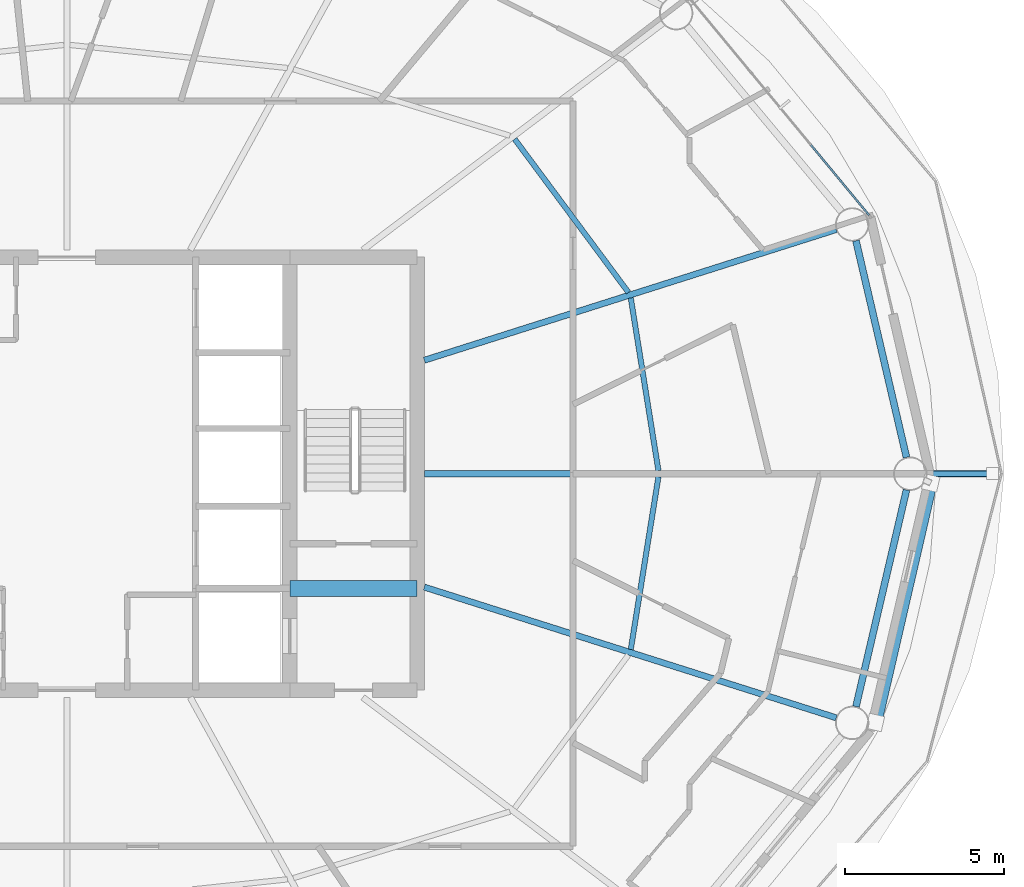
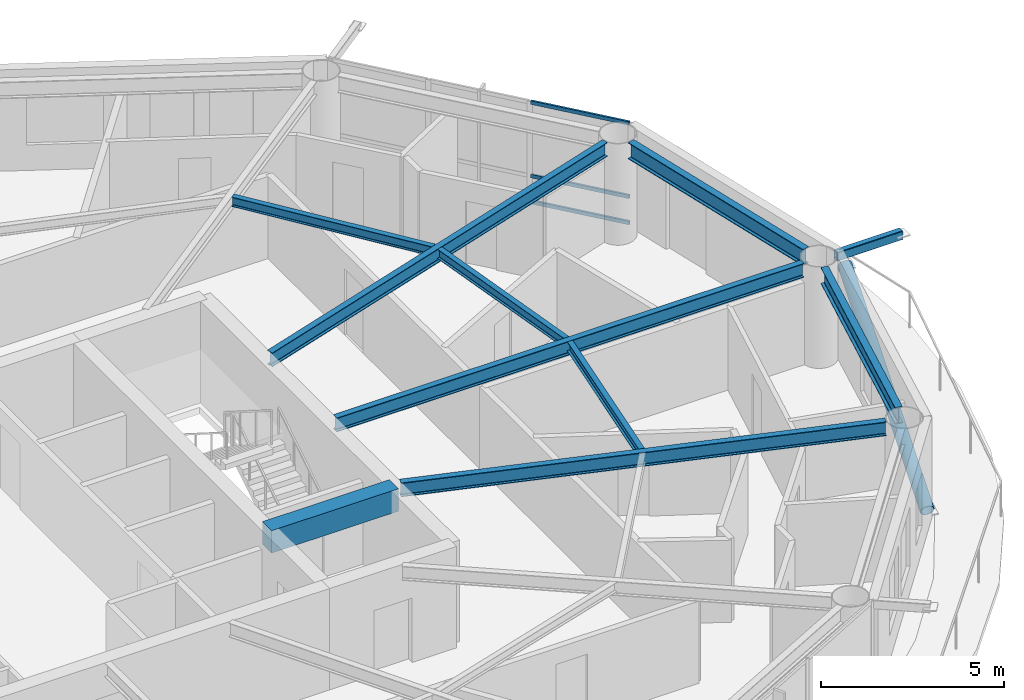
# One storey, part 8 of 29: 9 beams, 5 members, 1 element without a shape of its own.
"""IFC4 building model written with IfcOpenShell, lengths in metres."""

from ifc_helpers import new_model, si_unit, direction, frame, origin, origin_2d, place, context, subcontext, project, spatial, rectangle, hollow_rectangle, hollow_circle, i_section, extrude, material, layer, layer_set, material_profile, profile_set, type_object, element, aggregate, save


model = new_model("IFC4")

# Units and contexts
model_context = context("Model", 3, precision=1e-05, world=origin(), true_north=direction((0.0, 1.0)))
body_context = subcontext(model_context, "Body", "Model", "MODEL_VIEW")
ifc_project = project(units=[si_unit("LENGTHUNIT", "METRE"), si_unit("AREAUNIT", "SQUARE_METRE"), si_unit("VOLUMEUNIT", "CUBIC_METRE"), si_unit("PLANEANGLEUNIT", "RADIAN"), si_unit("MASSUNIT", "GRAM", prefix="KILO")], contexts=[model_context])

# Site, building, storey
site_placement = place(None, origin())
site = spatial("IfcSite", under=ifc_project, at=site_placement, CompositionType="ELEMENT")
building_placement = place(site_placement, origin())
building = spatial("IfcBuilding", under=site, at=building_placement, Name="Sarneth Arch Tower", CompositionType="ELEMENT")
storey_placement = place(building_placement, frame((0.0, 0.0, 175.800048828125)))
storey = spatial("IfcBuildingStorey", under=building, at=storey_placement, Name="L44", CompositionType="ELEMENT", Elevation=175.800048828125)

# Beams
ifc_material_1 = material(Name="Steel S355", Category="steel")
ifc_material_profile_1 = material_profile(ifc_material_1, i_section(OverallWidth=0.1669921875, OverallDepth=0.31689453125, WebThickness=0.007568359375, FlangeThickness=0.01318359375, FilletRadius=0.012939453125, at=origin_2d()), Name="W310x52")
ifc_profile_set_1 = profile_set([ifc_material_profile_1], Name="Steel S355")
beam_type_1 = type_object("IfcBeamType", Name="BM-JOIST-310B", PredefinedType="JOIST", material=ifc_profile_set_1)
beam_1_placement = place(storey_placement, frame((66.578125, 42.09521484375, 3.221435546875), z_axis=(-0.158262632389, 0.987397052451, 0.0), x_axis=(-0.987397052451, -0.158262632389, 0.0)))
element("IfcBeam", 1, at=beam_1_placement, inside=storey, type_object=beam_type_1, Name="L44 Secondary floor joist 01", PredefinedType="JOIST", context=body_context, shape_type="SweptSolid", body=[
    extrude(i_section(OverallWidth=0.1669921875, OverallDepth=0.31689453125, WebThickness=0.007568359375, FlangeThickness=0.01318359375, FilletRadius=0.012939453125, at=origin_2d()), origin(), (0.0, 0.0, 1.0), 5.493408203125),
])
beam_2_placement = place(storey_placement, frame((65.6357421875, 47.692138671875, 3.221435546875), z_axis=(-0.595933334016, 0.803033910497, 0.0), x_axis=(-0.803033910497, -0.595933334016, 0.0)))
element("IfcBeam", 2, at=beam_2_placement, inside=storey, type_object=beam_type_1, Name="L44 Secondary floor joist 02", PredefinedType="JOIST", context=body_context, shape_type="SweptSolid", body=[
    extrude(i_section(OverallWidth=0.1669921875, OverallDepth=0.31689453125, WebThickness=0.007568359375, FlangeThickness=0.01318359375, FilletRadius=0.012939453125, at=origin_2d()), origin(), (0.0, 0.0, 1.0), 5.99560546875),
])
beam_3_placement = place(storey_placement, frame((65.708740234375, 36.480712890625, 3.221435546875), z_axis=(0.158262632389, 0.987397052451, 0.0), x_axis=(-0.987397052451, 0.158262632389, 0.0)))
element("IfcBeam", 3, at=beam_3_placement, inside=storey, type_object=beam_type_1, Name="L44 Secondary floor joist 16", PredefinedType="JOIST", context=body_context, shape_type="SweptSolid", body=[
    extrude(i_section(OverallWidth=0.1669921875, OverallDepth=0.31689453125, WebThickness=0.007568359375, FlangeThickness=0.01318359375, FilletRadius=0.012939453125, at=origin_2d()), origin(), (0.0, 0.0, 1.0), 5.493408203125),
])
ifc_material_2 = material(Name="Concrete C50/60", Category="concrete")
ifc_material_profile_2 = material_profile(ifc_material_2, rectangle(XDim=0.5, YDim=0.75, at=origin_2d()), Name="RC-500x750")
ifc_profile_set_2 = profile_set([ifc_material_profile_2], Name="Concrete C50/60")
beam_type_2 = type_object("IfcBeamType", Name="BM-LINTEL-RC", PredefinedType="LINTEL", material=ifc_profile_set_2)
beam_4_placement = place(storey_placement, frame((55.0, 38.39990234375, 3.0048828125), z_axis=(1.0, 0.0, 0.0), x_axis=(0.0, 1.0, 0.0)))
element("IfcBeam", 4, at=beam_4_placement, inside=storey, type_object=beam_type_2, Name="L44 Core coupling lintel E", PredefinedType="LINTEL", context=body_context, shape_type="SweptSolid", body=[
    extrude(rectangle(XDim=0.5, YDim=0.75, at=origin_2d()), origin(), (0.0, 0.0, 1.0), 4.0),
])
ifc_material_3 = material(Name="Steel S355", Category="steel")
ifc_material_profile_3 = material_profile(ifc_material_3, i_section(OverallWidth=0.193115234375, OverallDepth=0.466064453125, WebThickness=0.011474609375, FlangeThickness=0.01904296875, FilletRadius=0.01806640625, at=origin_2d()), Name="W460x97")
ifc_profile_set_3 = profile_set([ifc_material_profile_3], Name="Steel S355")
beam_type_3 = type_object("IfcBeamType", Name="BM-RAD-460C", PredefinedType="BEAM", material=ifc_profile_set_3)
beam_5_placement = place(storey_placement, frame((59.22509765625, 42.0, 3.14697265625), z_axis=(1.0, 0.0, 0.0), x_axis=(0.0, 1.0, 0.0)))
element("IfcBeam", 5, at=beam_5_placement, inside=storey, type_object=beam_type_3, Name="L44 Radial floor girder 01", PredefinedType="BEAM", context=body_context, shape_type="SweptSolid", body=[
    extrude(i_section(OverallWidth=0.193115234375, OverallDepth=0.466064453125, WebThickness=0.011474609375, FlangeThickness=0.01904296875, FilletRadius=0.01806640625, at=origin_2d()), origin(), (0.0, 0.0, 1.0), 14.73681640625),
])
for number, where, z_axis, x_axis, name in (
    (6, (59.22509765625, 45.56201171875, 3.14697265625), (0.953163620049, 0.302455142815, 0.0), (-0.302455142815, 0.953163620049, 0.0), "L44 Radial floor girder 02"),
    (7, (59.22509765625, 38.43798828125, 3.14697265625), (0.953163620049, -0.302455142815, 0.0), (0.302455142815, 0.953163620049, 0.0), "L44 Radial floor girder 16"),
):
    element("IfcBeam", number, at=place(storey_placement, frame(where, z_axis=z_axis, x_axis=x_axis)), inside=storey, type_object=beam_type_3, Name=name, PredefinedType="BEAM", context=body_context, shape_type="SweptSolid", body=[
        extrude(i_section(OverallWidth=0.193115234375, OverallDepth=0.466064453125, WebThickness=0.011474609375, FlangeThickness=0.01904296875, FilletRadius=0.01806640625, at=origin_2d()), origin(), (0.0, 0.0, 1.0), 13.572265625),
    ])
ifc_material_4 = material(Name="Steel S355", Category="steel")
ifc_material_profile_4 = material_profile(ifc_material_4, i_section(OverallWidth=0.214111328125, OverallDepth=0.549072265625, WebThickness=0.0146484375, FlangeThickness=0.023681640625, FilletRadius=0.01806640625, at=origin_2d()), Name="W530x138")
ifc_profile_set_4 = profile_set([ifc_material_profile_4], Name="Steel S355")
beam_type_4 = type_object("IfcBeamType", Name="BM-RAD-530A", PredefinedType="BEAM", material=ifc_profile_set_4)
for number, where, z_axis, x_axis, name in (
    (8, (74.36767578125, 42.51123046875, 3.10546875), (-0.22708709918, 0.973874452579, 0.0), (-0.973874452579, -0.22708709918, 0.0), "L44 Perimeter spandrel beam 01"),
    (9, (72.78125, 34.685302734375, 3.10546875), (0.22708709918, 0.973874452579, 0.0), (-0.973874452579, 0.22708709918, 0.0), "L44 Perimeter spandrel beam 16"),
):
    element("IfcBeam", number, at=place(storey_placement, frame(where, z_axis=z_axis, x_axis=x_axis)), inside=storey, type_object=beam_type_4, Name=name, PredefinedType="BEAM", context=body_context, shape_type="SweptSolid", body=[
        extrude(i_section(OverallWidth=0.214111328125, OverallDepth=0.549072265625, WebThickness=0.0146484375, FlangeThickness=0.023681640625, FilletRadius=0.01806640625, at=origin_2d()), origin(), (0.0, 0.0, 1.0), 6.986083984375),
    ])

# Curtain wall, members
ifc_material_5 = material(Name="Anodised aluminium Type AA25 and solar-control low-e laminated IGU", Category="aluminium")
ifc_layer = layer(ifc_material_5, 0.169921875)
ifc_layer_set = layer_set([ifc_layer], Name="Anodised aluminium Type AA25 and solar-control low-e laminated IGU")
curtain_wall_type = type_object("IfcCurtainWallType", Name="CW-RES-MID", PredefinedType="NOTDEFINED", material=ifc_layer_set)
curtain_wall_placement = place(storey_placement, origin())
curtain_wall = element("IfcCurtainWall", 10, at=curtain_wall_placement, inside=storey, type_object=curtain_wall_type, Name="L44 Unitised curtain wall facet 02", PredefinedType="NOTDEFINED")
ifc_material_6 = material(Name="Anodised Aluminium 6063-T6", Category="aluminium")
ifc_material_profile_5 = material_profile(ifc_material_6, hollow_rectangle(XDim=0.06005859375, YDim=0.1201171875, WallThickness=0.00390625, at=origin_2d()), Name="AL-TRAN-120x60x4")
ifc_profile_set_5 = profile_set([ifc_material_profile_5], Name="Anodised Aluminium 6063-T6")
member_type_1 = type_object("IfcMemberType", Name="CW-TRANSOM", PredefinedType="USERDEFINED", material=ifc_profile_set_5)
member_1_placement = place(storey_placement, frame((73.194091796875, 50.11328125, 0.030029296875), z_axis=(-0.637358651504, 0.770567290607, 0.0), x_axis=(-0.770567290607, -0.637358651504, 0.0)))
member_1 = element("IfcMember", 11, at=member_1_placement, type_object=member_type_1, Name="CW-SYS-5 transom 1.1", ObjectType="TRANSOM", PredefinedType="USERDEFINED", context=body_context, shape_type="SweptSolid", body=[
    extrude(hollow_rectangle(XDim=0.06005859375, YDim=0.1201171875, WallThickness=0.00390625, at=origin_2d()), origin(), (0.0, 0.0, 1.0), 2.8681640625),
])
member_2_placement = place(storey_placement, frame((73.194091796875, 50.11328125, 0.89990234375), z_axis=(-0.637358651504, 0.770567290607, 0.0), x_axis=(-0.770567290607, -0.637358651504, 0.0)))
member_2 = element("IfcMember", 12, at=member_2_placement, type_object=member_type_1, Name="CW-SYS-5 transom 1.2", ObjectType="TRANSOM", PredefinedType="USERDEFINED", context=body_context, shape_type="SweptSolid", body=[
    extrude(hollow_rectangle(XDim=0.06005859375, YDim=0.1201171875, WallThickness=0.00390625, at=origin_2d()), origin(), (0.0, 0.0, 1.0), 2.8681640625),
])
member_3_placement = place(storey_placement, frame((73.194091796875, 50.11328125, 3.349853515625), z_axis=(-0.637358651504, 0.770567290607, 0.0), x_axis=(-0.770567290607, -0.637358651504, 0.0)))
member_3 = element("IfcMember", 13, at=member_3_placement, type_object=member_type_1, Name="CW-SYS-5 transom 1.3", ObjectType="TRANSOM", PredefinedType="USERDEFINED", context=body_context, shape_type="SweptSolid", body=[
    extrude(hollow_rectangle(XDim=0.06005859375, YDim=0.1201171875, WallThickness=0.00390625, at=origin_2d()), origin(), (0.0, 0.0, 1.0), 2.8681640625),
])
aggregate(curtain_wall, [member_1, member_2, member_3])

# Members
ifc_material_7 = material(Name="Steel S355", Category="steel")
ifc_material_profile_6 = material_profile(ifc_material_7, hollow_rectangle(XDim=0.199951171875, YDim=0.300048828125, WallThickness=0.012451171875, InnerFilletRadius=0.018798828125, OuterFilletRadius=0.03125, at=origin_2d()), Name="RHS300x200x12.5")
ifc_profile_set_6 = profile_set([ifc_material_profile_6], Name="Steel S355")
member_type_2 = type_object("IfcMemberType", Name="MEM-CANT-STRUT", PredefinedType="STRUT", material=ifc_profile_set_6)
member_4_placement = place(storey_placement, frame((75.011962890625, 42.0, 3.219970703125), z_axis=(1.0, 0.0, 0.0), x_axis=(0.0, 1.0, 0.0)))
element("IfcMember", 14, at=member_4_placement, inside=storey, type_object=member_type_2, Name="L44 Balcony cantilever bracket 01", PredefinedType="STRUT", context=body_context, shape_type="SweptSolid", body=[
    extrude(hollow_rectangle(XDim=0.199951171875, YDim=0.300048828125, WallThickness=0.012451171875, InnerFilletRadius=0.018798828125, OuterFilletRadius=0.03125, at=origin_2d()), origin(), (0.0, 0.0, 1.0), 2.060791015625),
])
ifc_material_8 = material(Name="Steel S355", Category="steel")
ifc_material_profile_7 = material_profile(ifc_material_8, hollow_circle(Radius=0.202880859375, WallThickness=0.01611328125, at=origin_2d()), Name="CHS406x16")
ifc_profile_set_7 = profile_set([ifc_material_profile_7], Name="Steel S355")
member_type_3 = type_object("IfcMemberType", Name="MEM-DIAG-BR2", PredefinedType="BRACE", material=ifc_profile_set_7)
member_5_placement = place(storey_placement, frame((73.390380859375, 34.18701171875, 0.02001953125), z_axis=(0.209646277215, 0.90691666474, 0.365445757488), x_axis=(-0.974306903917, 0.225224459107, 0.0)))
element("IfcMember", 15, at=member_5_placement, inside=storey, type_object=member_type_3, Name="L44 Perimeter frame diagonal 16", PredefinedType="BRACE", context=body_context, shape_type="SweptSolid", body=[
    extrude(hollow_circle(Radius=0.202880859375, WallThickness=0.01611328125, at=origin_2d()), origin(), (0.0, 0.0, 1.0), 8.292724609375),
])

save(model, "model.ifc")
